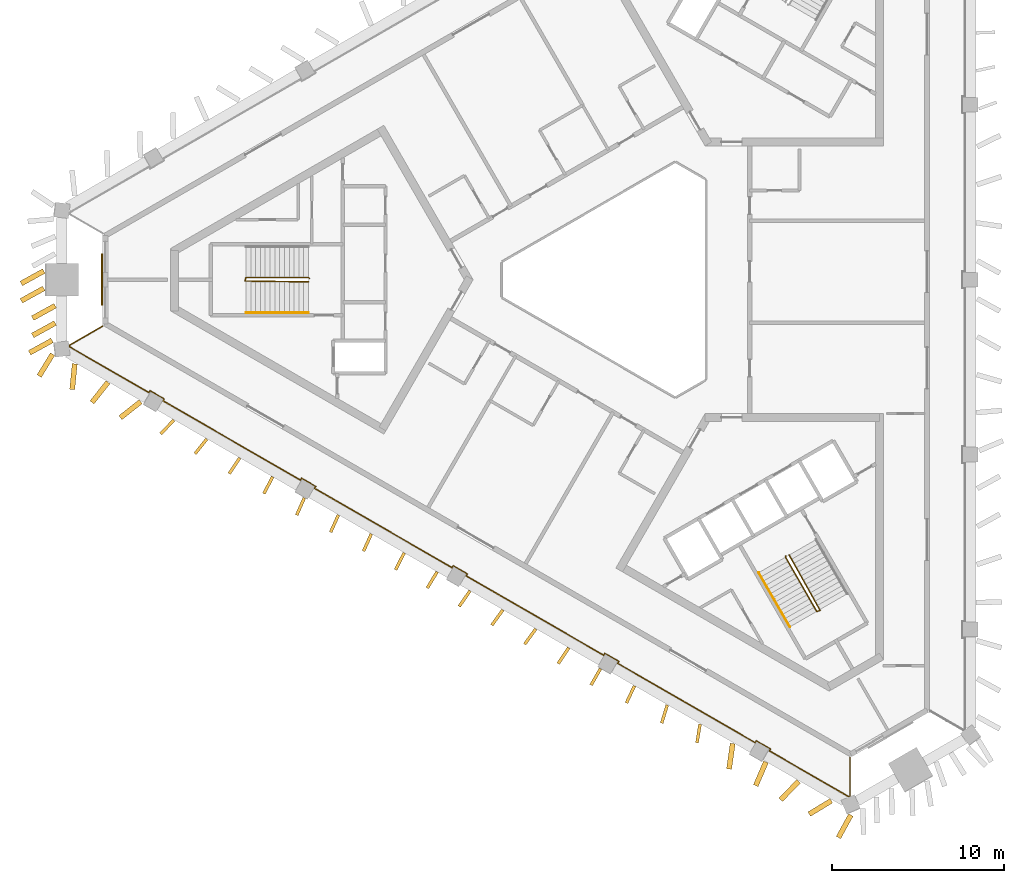
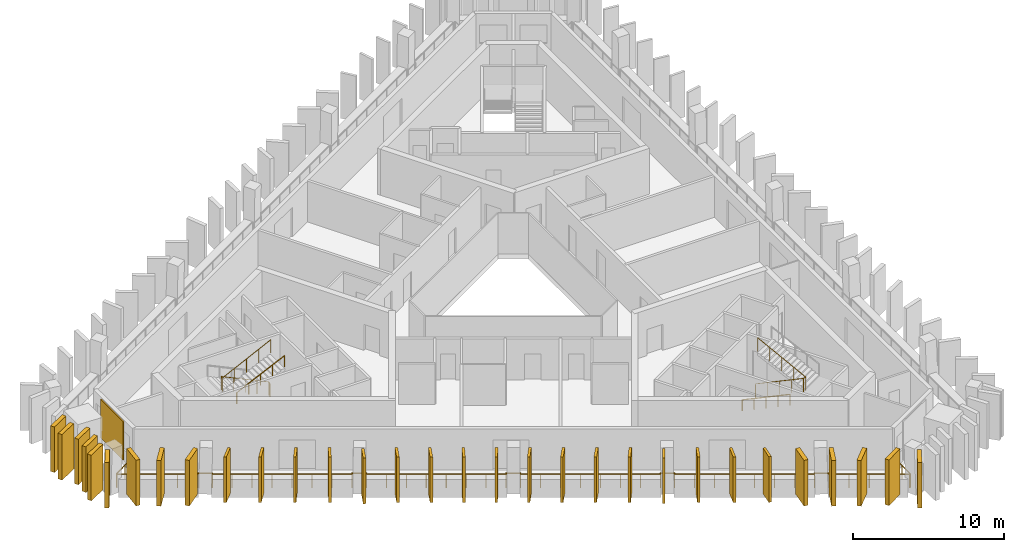
# One storey, part 7 of 9: 31 shading devices, 5 railings, 1 covering.
"""IFC4 building model written with IfcOpenShell, lengths in metres."""

import ifcopenshell
import ifcopenshell.guid

model = None  # the IFC model being written
_history = None  # IfcOwnerHistory: only IFC2X3 demands one
_inside = {}  # id of a spatial element -> (the spatial element, [elements in it])
_under = {}  # id of a project, library or spatial element -> (it, [spatial elements below it])
_declared = {}  # id of a project -> (the project, [libraries it declares])
_typed = {}  # id of a type object -> (the type object, [elements of that type])
_made_of = {}  # id of a material, layer set ... -> (it, [elements and type objects made of it])


def new_model(schema):
    """Start an empty IFC model of exactly this schema.

    Asked for "IFC4X3", IfcOpenShell would pick the latest addendum, in which some entities
    have other attributes; the version numbers below select the first issue.
    IFC2X3 requires an IfcOwnerHistory on every rooted entity: one is made here for all.
    """
    global model, _history
    if schema == "IFC4X3":
        model = ifcopenshell.file(schema_version=(4, 3, 0, 0))
    else:
        model = ifcopenshell.file(schema=schema)
    _inside.clear()
    _under.clear()
    _declared.clear()
    _typed.clear()
    _made_of.clear()
    _history = None
    if model.schema == "IFC2X3":
        org = make("IfcOrganization", Name="unknown")
        user = make(
            "IfcPersonAndOrganization",
            ThePerson=make("IfcPerson", FamilyName="unknown"),
            TheOrganization=org,
        )
        app = make(
            "IfcApplication",
            ApplicationDeveloper=org,
            Version="unknown",
            ApplicationFullName="unknown",
            ApplicationIdentifier="unknown",
        )
        _history = make(
            "IfcOwnerHistory",
            OwningUser=user,
            OwningApplication=app,
            ChangeAction="ADDED",
            CreationDate=0,
        )
    return model


def make(cls, **values):
    """One entity of the class cls with the attributes given. An attribute that is None is left unset."""
    return model.create_entity(
        cls, **{name: value for name, value in values.items() if value is not None}
    )


def rooted(cls, **values):
    """An entity with a GlobalId (a new one), such as an element, a storey or a relation."""
    return make(cls, GlobalId=ifcopenshell.guid.new(), OwnerHistory=_history, **values)


def si_unit(unit_type, name, prefix=None):
    """IfcSIUnit, for example si_unit("LENGTHUNIT", "METRE", prefix="MILLI")."""
    return make("IfcSIUnit", UnitType=unit_type, Prefix=prefix, Name=name)


def assignment(units):
    """IfcUnitAssignment: the units of a project."""
    return None if units is None else make("IfcUnitAssignment", Units=units)


def point(xyz):
    """IfcCartesianPoint."""
    return None if xyz is None else make("IfcCartesianPoint", Coordinates=xyz)


def direction(xyz):
    """IfcDirection."""
    return None if xyz is None else make("IfcDirection", DirectionRatios=xyz)


def frame(location, z_axis=None, x_axis=None):
    """IfcAxis2Placement3D, a coordinate frame: its origin and axes. An axis left out is left unset."""
    return make(
        "IfcAxis2Placement3D",
        Location=point(location),
        Axis=direction(z_axis),
        RefDirection=direction(x_axis),
    )


def frame_2d(location, x_axis=None):
    """IfcAxis2Placement2D, a coordinate frame in the plane: its origin and x axis."""
    return make(
        "IfcAxis2Placement2D", Location=point(location), RefDirection=direction(x_axis)
    )


def origin():
    """The frame at (0, 0, 0) with its axes left unset."""
    return frame((0.0, 0.0, 0.0))


def origin_2d():
    """The frame at (0, 0) in the plane with its x axis left unset."""
    return frame_2d((0.0, 0.0))


def place(relative_to, where):
    """IfcLocalPlacement: puts the frame where relative to a parent placement (None: the world)."""
    return make(
        "IfcLocalPlacement", PlacementRelTo=relative_to, RelativePlacement=where
    )


def context(
    kind, dimensions, precision=None, world=None, true_north=None, identifier=None
):
    """IfcGeometricRepresentationContext, for example the 3D "Model" context."""
    return make(
        "IfcGeometricRepresentationContext",
        ContextIdentifier=identifier,
        ContextType=kind,
        CoordinateSpaceDimension=dimensions,
        Precision=precision,
        WorldCoordinateSystem=world,
        TrueNorth=true_north,
    )


def subcontext(parent, identifier, kind, view, scale=None):
    """IfcGeometricRepresentationSubContext, for example "Body" below "Model"."""
    return make(
        "IfcGeometricRepresentationSubContext",
        ContextIdentifier=identifier,
        ContextType=kind,
        ParentContext=parent,
        TargetScale=scale,
        TargetView=view,
    )


def project(units=None, contexts=None):
    """IfcProject with its units and contexts."""
    return rooted(
        "IfcProject",
        Name="project",
        RepresentationContexts=contexts,
        UnitsInContext=assignment(units),
    )


def spatial(cls, under=None, at=None, **own):
    """A site, building, storey or space (cls), placed at a placement, below another one or the project."""
    s = rooted(cls, ObjectPlacement=at, **own)
    if under is not None:
        _under.setdefault(under.id(), (under, []))[1].append(s)
    return s


def profile(cls, at=None, kind="AREA", **sizes):
    """A parametric profile (cls). Its sizes go by their IFC names, for example OverallWidth=200.0."""
    return make(cls, ProfileType=kind, Position=at, **sizes)


def rectangle(**sizes):
    """IfcRectangleProfileDef."""
    return profile("IfcRectangleProfileDef", **sizes)


def circle(**sizes):
    """IfcCircleProfileDef."""
    return profile("IfcCircleProfileDef", **sizes)


def extrude(swept, where, along, depth):
    """IfcExtrudedAreaSolid: the profile swept, set in the frame where, extruded along a direction by depth."""
    return make(
        "IfcExtrudedAreaSolid",
        SweptArea=swept,
        Position=where,
        ExtrudedDirection=direction(along),
        Depth=depth,
    )


def shape(context_of_items, identifier, shape_type, items):
    """IfcShapeRepresentation: the items that make up one representation, for example the "Body"."""
    return make(
        "IfcShapeRepresentation",
        ContextOfItems=context_of_items,
        RepresentationIdentifier=identifier,
        RepresentationType=shape_type,
        Items=items,
    )


def material(Name=None, Category=None):
    """IfcMaterial."""
    return make("IfcMaterial", Name=Name, Category=Category)


def layer(
    of_material, thickness, ventilated=None, Name=None, Category=None, Priority=None
):
    """IfcMaterialLayer: one layer of a wall or slab, of a material (None: an air gap)."""
    return make(
        "IfcMaterialLayer",
        Material=of_material,
        LayerThickness=thickness,
        IsVentilated=ventilated,
        Name=Name,
        Category=Category,
        Priority=Priority,
    )


def layer_set(layers, Name=None):
    """IfcMaterialLayerSet."""
    return make("IfcMaterialLayerSet", MaterialLayers=layers, LayerSetName=Name)


def made_of(thing, what):
    """Note that an element or type object is made of a material, layer set ...; save() writes the relation."""
    if what is not None:
        _made_of.setdefault(what.id(), (what, []))[1].append(thing)
    return thing


def type_object(cls, material=None, **own):
    """A type object (cls), such as IfcWallType, which elements share."""
    return made_of(rooted(cls, **own), material)


def element(
    cls,
    number,
    at=None,
    inside=None,
    cuts=None,
    type_object=None,
    material=None,
    context=None,
    identifier="Body",
    shape_type=None,
    held_by="IfcProductDefinitionShape",
    body=None,
    shapes=None,
    **own,
):
    """One element of the class cls, such as IfcWall. Its Tag is "e" and its number.

    at: its placement. inside: the storey or other place that contains it. cuts: it is an
    opening in that element (IfcRelVoidsElement). A single representation is given by context,
    identifier, shape_type and body (its items); several are given by shapes. held_by: the class
    of the entity that holds the representations. save() writes the other relations.
    """
    e = rooted(cls, Tag="e%d" % number, ObjectPlacement=at, **own)
    if body is not None:
        shapes = [shape(context, identifier, shape_type, body)]
    if shapes is not None:
        e.Representation = make(held_by, Representations=shapes)
    if inside is not None:
        _inside.setdefault(inside.id(), (inside, []))[1].append(e)
    if cuts is not None:
        rooted(
            "IfcRelVoidsElement", RelatingBuildingElement=cuts, RelatedOpeningElement=e
        )
    if type_object is not None:
        _typed.setdefault(type_object.id(), (type_object, []))[1].append(e)
    return made_of(e, material)


def aggregate(whole, parts):
    """IfcRelAggregates: a whole, such as a stair, and the parts it consists of."""
    return rooted("IfcRelAggregates", RelatingObject=whole, RelatedObjects=parts)


def save(model, path):
    """Write the relations noted so far, then the file.

    IfcRelAggregates (storeys below a building ...), IfcRelContainedInSpatialStructure (elements
    in a storey), IfcRelDefinesByType, IfcRelAssociatesMaterial and IfcRelDeclares: one each for
    every whole, place, type object, material and project.
    """
    for whole, parts in _under.values():
        aggregate(whole, parts)
    for where, things in _inside.values():
        rooted(
            "IfcRelContainedInSpatialStructure",
            RelatedElements=things,
            RelatingStructure=where,
        )
    for kind, things in _typed.values():
        rooted("IfcRelDefinesByType", RelatedObjects=things, RelatingType=kind)
    for what, things in _made_of.values():
        rooted("IfcRelAssociatesMaterial", RelatedObjects=things, RelatingMaterial=what)
    for by, libraries in _declared.values():
        rooted("IfcRelDeclares", RelatingContext=by, RelatedDefinitions=libraries)
    model.write(path)


model = new_model("IFC4")

# Units and contexts
model_context = context("Model", 3, precision=1e-05, world=origin(), true_north=direction((0.0, 1.0)))
body_context = subcontext(model_context, "Body", "Model", "MODEL_VIEW")
ifc_project = project(units=[si_unit("LENGTHUNIT", "METRE"), si_unit("AREAUNIT", "SQUARE_METRE"), si_unit("VOLUMEUNIT", "CUBIC_METRE"), si_unit("PLANEANGLEUNIT", "RADIAN"), si_unit("MASSUNIT", "GRAM", prefix="KILO")], contexts=[model_context])

# Site, building, storey
site_placement = place(None, origin())
site = spatial("IfcSite", under=ifc_project, at=site_placement, CompositionType="ELEMENT")
building_placement = place(site_placement, origin())
building = spatial("IfcBuilding", under=site, at=building_placement, Name="Jabali Bay Hotel Tower and Convention Centre", CompositionType="ELEMENT")
storey_placement = place(building_placement, frame((0.0, 0.0, 231.699951171875)))
storey = spatial("IfcBuildingStorey", under=building, at=storey_placement, Name="L57", CompositionType="ELEMENT", Elevation=231.699951171875)

# Railing
ifc_material_1 = material(Name="Glass", Category="glass")
railing_type_1 = type_object("IfcRailingType", Name="Loggia glass guard 1100", PredefinedType="BALUSTRADE", material=ifc_material_1)
railing_1_placement = place(storey_placement, frame((87.937744140625, 52.175537109375, 0.0)))
element("IfcRailing", 1, at=railing_1_placement, inside=storey, type_object=railing_type_1, Name="Loggia glass guard L57", PredefinedType="BALUSTRADE", context=body_context, shape_type="SweptSolid", body=[
    extrude(circle(Radius=0.02490234375, at=origin_2d()), frame((0.0, 0.0, 1.0751953125), z_axis=(0.0, -1.0, 0.0), x_axis=(0.991444861374, 0.0, 0.13052619222)), (0.0, 0.0, 1.0), 2.24755859375),
    extrude(circle(Radius=0.02490234375, at=origin_2d()), frame((0.0, -2.24755859375, 1.0751953125), z_axis=(-0.91970817197, -0.392602697916, 0.0), x_axis=(0.38924392741, -0.911839941063, 0.13052619222)), (0.0, 0.0, 1.0), 0.067138671875),
    extrude(circle(Radius=0.02490234375, at=origin_2d()), frame((-0.061767578125, -2.27392578125, 1.0751953125), z_axis=(-0.866017545806, 0.500013610171, 0.0), x_axis=(-0.495735924421, -0.858608645649, 0.13052619222)), (0.0, 0.0, 1.0), 5.346923828125),
    extrude(circle(Radius=0.02490234375, at=origin_2d()), frame((-4.6923828125, 0.399658203125, 1.0751953125), z_axis=(0.499497219344, 0.8663154898, 0.0), x_axis=(-0.858904040691, 0.495223951389, 0.13052619222)), (0.0, 0.0, 1.0), 0.125244140625),
    extrude(circle(Radius=0.02490234375, at=origin_2d()), frame((-4.6298828125, 0.508056640625, 1.0751953125), z_axis=(-0.866100000774, 0.49987077196, 0.0), x_axis=(-0.495594308211, -0.858690395203, 0.13052619222)), (0.0, 0.0, 1.0), 0.949951171875),
    extrude(circle(Radius=0.02490234375, at=origin_2d()), frame((-5.45263671875, 0.98291015625, 1.0751953125), z_axis=(-0.500342721131, -0.865827443207, 0.0), x_axis=(0.858420169404, -0.496062219791, 0.13052619222)), (0.0, 0.0, 1.0), 0.125),
    extrude(circle(Radius=0.02490234375, at=origin_2d()), frame((-5.51513671875, 0.874755859375, 1.0751953125), z_axis=(-0.866031129197, 0.499990083164, 0.0), x_axis=(-0.495712598691, -0.858622112832, 0.13052619222)), (0.0, 0.0, 1.0), 9.239013671875),
    extrude(circle(Radius=0.02490234375, at=origin_2d()), frame((-13.516357421875, 5.494140625, 1.0751953125), z_axis=(0.499497219344, 0.8663154898, 0.0), x_axis=(-0.858904040691, 0.495223951389, 0.13052619222)), (0.0, 0.0, 1.0), 0.125244140625),
    extrude(circle(Radius=0.02490234375, at=origin_2d()), frame((-13.453857421875, 5.6025390625, 1.0751953125), z_axis=(-0.866100000774, 0.49987077196, 0.0), x_axis=(-0.495594308211, -0.858690395203, 0.13052619222)), (0.0, 0.0, 1.0), 0.949951171875),
    extrude(circle(Radius=0.02490234375, at=origin_2d()), frame((-14.276611328125, 6.077392578125, 1.0751953125), z_axis=(-0.500342721131, -0.865827443207, 0.0), x_axis=(0.858420169404, -0.496062219791, 0.13052619222)), (0.0, 0.0, 1.0), 0.125),
    extrude(circle(Radius=0.02490234375, at=origin_2d()), frame((-14.339111328125, 5.96923828125, 1.0751953125), z_axis=(-0.866031129197, 0.499990083164, 0.0), x_axis=(-0.495712598691, -0.858622112832, 0.13052619222)), (0.0, 0.0, 1.0), 9.239013671875),
    extrude(circle(Radius=0.02490234375, at=origin_2d()), frame((-22.34033203125, 10.588623046875, 1.0751953125), z_axis=(0.499497219344, 0.8663154898, 0.0), x_axis=(-0.858904040691, 0.495223951389, 0.13052619222)), (0.0, 0.0, 1.0), 0.125244140625),
    extrude(circle(Radius=0.02490234375, at=origin_2d()), frame((-22.27783203125, 10.697021484375, 1.0751953125), z_axis=(-0.866100000774, 0.49987077196, 0.0), x_axis=(-0.495594308211, -0.858690395203, 0.13052619222)), (0.0, 0.0, 1.0), 0.949951171875),
    extrude(circle(Radius=0.02490234375, at=origin_2d()), frame((-23.1005859375, 11.171875, 1.0751953125), z_axis=(-0.500342721131, -0.865827443207, 0.0), x_axis=(0.858420169404, -0.496062219791, 0.13052619222)), (0.0, 0.0, 1.0), 0.125),
    extrude(circle(Radius=0.02490234375, at=origin_2d()), frame((-23.1630859375, 11.063720703125, 1.0751953125), z_axis=(-0.866031129197, 0.499990083164, 0.0), x_axis=(-0.495712598691, -0.858622112832, 0.13052619222)), (0.0, 0.0, 1.0), 9.239013671875),
    extrude(circle(Radius=0.02490234375, at=origin_2d()), frame((-31.164306640625, 15.68310546875, 1.0751953125), z_axis=(0.499497219344, 0.8663154898, 0.0), x_axis=(-0.858904040691, 0.495223951389, 0.13052619222)), (0.0, 0.0, 1.0), 0.125244140625),
    extrude(circle(Radius=0.02490234375, at=origin_2d()), frame((-31.101806640625, 15.79150390625, 1.0751953125), z_axis=(-0.866100000774, 0.49987077196, 0.0), x_axis=(-0.495594308211, -0.858690395203, 0.13052619222)), (0.0, 0.0, 1.0), 0.949951171875),
    extrude(circle(Radius=0.02490234375, at=origin_2d()), frame((-31.924560546875, 16.266357421875, 1.0751953125), z_axis=(-0.500342721131, -0.865827443207, 0.0), x_axis=(0.858420169404, -0.496062219791, 0.13052619222)), (0.0, 0.0, 1.0), 0.125),
    extrude(circle(Radius=0.02490234375, at=origin_2d()), frame((-31.987060546875, 16.158203125, 1.0751953125), z_axis=(-0.866031129197, 0.499990083164, 0.0), x_axis=(-0.495712598691, -0.858622112832, 0.13052619222)), (0.0, 0.0, 1.0), 9.239013671875),
    extrude(circle(Radius=0.02490234375, at=origin_2d()), frame((-39.98828125, 20.777587890625, 1.0751953125), z_axis=(0.499497219344, 0.8663154898, 0.0), x_axis=(-0.858904040691, 0.495223951389, 0.13052619222)), (0.0, 0.0, 1.0), 0.125244140625),
    extrude(circle(Radius=0.02490234375, at=origin_2d()), frame((-39.92578125, 20.885986328125, 1.0751953125), z_axis=(-0.866035761792, 0.499982058975, 0.0), x_axis=(-0.49570464315, -0.858626705795, 0.13052619222)), (0.0, 0.0, 1.0), 0.94970703125),
    extrude(circle(Radius=0.02490234375, at=origin_2d()), frame((-40.748291015625, 21.36083984375, 1.0751953125), z_axis=(-0.500342721131, -0.865827443207, 0.0), x_axis=(0.858420169404, -0.496062219791, 0.13052619222)), (0.0, 0.0, 1.0), 0.125),
    extrude(circle(Radius=0.02490234375, at=origin_2d()), frame((-40.810791015625, 21.252685546875, 1.0751953125), z_axis=(-0.866028960544, 0.499993839462, 0.0), x_axis=(-0.495716322853, -0.858619962732, 0.13052619222)), (0.0, 0.0, 1.0), 5.34716796875),
    extrude(circle(Radius=0.02490234375, at=origin_2d()), frame((-45.441650390625, 23.92626953125, 1.0751953125), z_axis=(-0.120005554105, 0.99277322032, 0.0), x_axis=(-0.984279907796, -0.118978889953, 0.13052619222)), (0.0, 0.0, 1.0), 0.067138671875),
    extrude(circle(Radius=0.02490234375, at=origin_2d()), frame((-45.44970703125, 23.992919921875, 1.0751953125), z_axis=(0.866008297462, 0.50002962785, 0.0), x_axis=(-0.495751805066, 0.858599476426, 0.13052619222)), (0.0, 0.0, 1.0), 2.247314453125),
    extrude(circle(Radius=0.02001953125, at=origin_2d()), origin(), (0.0, 0.0, 1.0), 1.050048828125),
    extrude(circle(Radius=0.02001953125, at=origin_2d()), frame((0.0, -1.123779296875, 0.0)), (0.0, 0.0, 1.0), 1.050048828125),
    extrude(circle(Radius=0.02001953125, at=origin_2d()), frame((0.0, -2.24755859375, 0.0)), (0.0, 0.0, 1.0), 1.050048828125),
    extrude(circle(Radius=0.02001953125, at=origin_2d()), frame((-0.061767578125, -2.27392578125, 0.0)), (0.0, 0.0, 1.0), 1.050048828125),
    extrude(circle(Radius=0.02001953125, at=origin_2d()), frame((-1.219482421875, -1.60546875, 0.0)), (0.0, 0.0, 1.0), 1.050048828125),
    extrude(circle(Radius=0.02001953125, at=origin_2d()), frame((-2.376953125, -0.93701171875, 0.0)), (0.0, 0.0, 1.0), 1.050048828125),
    extrude(circle(Radius=0.02001953125, at=origin_2d()), frame((-3.53466796875, -0.268798828125, 0.0)), (0.0, 0.0, 1.0), 1.050048828125),
    extrude(circle(Radius=0.02001953125, at=origin_2d()), frame((-4.6923828125, 0.399658203125, 0.0)), (0.0, 0.0, 1.0), 1.050048828125),
    extrude(circle(Radius=0.02001953125, at=origin_2d()), frame((-4.6298828125, 0.508056640625, 0.0)), (0.0, 0.0, 1.0), 1.050048828125),
    extrude(circle(Radius=0.02001953125, at=origin_2d()), frame((-5.45263671875, 0.98291015625, 0.0)), (0.0, 0.0, 1.0), 1.050048828125),
    extrude(circle(Radius=0.02001953125, at=origin_2d()), frame((-5.51513671875, 0.874755859375, 0.0)), (0.0, 0.0, 1.0), 1.050048828125),
    extrude(circle(Radius=0.02001953125, at=origin_2d()), frame((-6.658203125, 1.53466796875, 0.0)), (0.0, 0.0, 1.0), 1.050048828125),
    extrude(circle(Radius=0.02001953125, at=origin_2d()), frame((-7.80126953125, 2.194580078125, 0.0)), (0.0, 0.0, 1.0), 1.050048828125),
    extrude(circle(Radius=0.02001953125, at=origin_2d()), frame((-8.9443359375, 2.8544921875, 0.0)), (0.0, 0.0, 1.0), 1.050048828125),
    extrude(circle(Radius=0.02001953125, at=origin_2d()), frame((-10.087158203125, 3.514404296875, 0.0)), (0.0, 0.0, 1.0), 1.050048828125),
    extrude(circle(Radius=0.02001953125, at=origin_2d()), frame((-11.230224609375, 4.17431640625, 0.0)), (0.0, 0.0, 1.0), 1.050048828125),
    extrude(circle(Radius=0.02001953125, at=origin_2d()), frame((-12.373291015625, 4.834228515625, 0.0)), (0.0, 0.0, 1.0), 1.050048828125),
    extrude(circle(Radius=0.02001953125, at=origin_2d()), frame((-13.516357421875, 5.494140625, 0.0)), (0.0, 0.0, 1.0), 1.050048828125),
    extrude(circle(Radius=0.02001953125, at=origin_2d()), frame((-13.453857421875, 5.6025390625, 0.0)), (0.0, 0.0, 1.0), 1.050048828125),
    extrude(circle(Radius=0.02001953125, at=origin_2d()), frame((-14.276611328125, 6.077392578125, 0.0)), (0.0, 0.0, 1.0), 1.050048828125),
    extrude(circle(Radius=0.02001953125, at=origin_2d()), frame((-14.339111328125, 5.96923828125, 0.0)), (0.0, 0.0, 1.0), 1.050048828125),
    extrude(circle(Radius=0.02001953125, at=origin_2d()), frame((-15.482177734375, 6.629150390625, 0.0)), (0.0, 0.0, 1.0), 1.050048828125),
    extrude(circle(Radius=0.02001953125, at=origin_2d()), frame((-16.625244140625, 7.2890625, 0.0)), (0.0, 0.0, 1.0), 1.050048828125),
    extrude(circle(Radius=0.02001953125, at=origin_2d()), frame((-17.768310546875, 7.948974609375, 0.0)), (0.0, 0.0, 1.0), 1.050048828125),
    extrude(circle(Radius=0.02001953125, at=origin_2d()), frame((-18.9111328125, 8.60888671875, 0.0)), (0.0, 0.0, 1.0), 1.050048828125),
    extrude(circle(Radius=0.02001953125, at=origin_2d()), frame((-20.05419921875, 9.268798828125, 0.0)), (0.0, 0.0, 1.0), 1.050048828125),
    extrude(circle(Radius=0.02001953125, at=origin_2d()), frame((-21.197265625, 9.9287109375, 0.0)), (0.0, 0.0, 1.0), 1.050048828125),
    extrude(circle(Radius=0.02001953125, at=origin_2d()), frame((-22.34033203125, 10.588623046875, 0.0)), (0.0, 0.0, 1.0), 1.050048828125),
    extrude(circle(Radius=0.02001953125, at=origin_2d()), frame((-22.27783203125, 10.697021484375, 0.0)), (0.0, 0.0, 1.0), 1.050048828125),
    extrude(circle(Radius=0.02001953125, at=origin_2d()), frame((-23.1005859375, 11.171875, 0.0)), (0.0, 0.0, 1.0), 1.050048828125),
    extrude(circle(Radius=0.02001953125, at=origin_2d()), frame((-23.1630859375, 11.063720703125, 0.0)), (0.0, 0.0, 1.0), 1.050048828125),
    extrude(circle(Radius=0.02001953125, at=origin_2d()), frame((-24.30615234375, 11.7236328125, 0.0)), (0.0, 0.0, 1.0), 1.050048828125),
    extrude(circle(Radius=0.02001953125, at=origin_2d()), frame((-25.44921875, 12.383544921875, 0.0)), (0.0, 0.0, 1.0), 1.050048828125),
    extrude(circle(Radius=0.02001953125, at=origin_2d()), frame((-26.59228515625, 13.04345703125, 0.0)), (0.0, 0.0, 1.0), 1.050048828125),
    extrude(circle(Radius=0.02001953125, at=origin_2d()), frame((-27.735107421875, 13.703369140625, 0.0)), (0.0, 0.0, 1.0), 1.050048828125),
    extrude(circle(Radius=0.02001953125, at=origin_2d()), frame((-28.878173828125, 14.36328125, 0.0)), (0.0, 0.0, 1.0), 1.050048828125),
    extrude(circle(Radius=0.02001953125, at=origin_2d()), frame((-30.021240234375, 15.023193359375, 0.0)), (0.0, 0.0, 1.0), 1.050048828125),
    extrude(circle(Radius=0.02001953125, at=origin_2d()), frame((-31.164306640625, 15.68310546875, 0.0)), (0.0, 0.0, 1.0), 1.050048828125),
    extrude(circle(Radius=0.02001953125, at=origin_2d()), frame((-31.101806640625, 15.79150390625, 0.0)), (0.0, 0.0, 1.0), 1.050048828125),
    extrude(circle(Radius=0.02001953125, at=origin_2d()), frame((-31.924560546875, 16.266357421875, 0.0)), (0.0, 0.0, 1.0), 1.050048828125),
    extrude(circle(Radius=0.02001953125, at=origin_2d()), frame((-31.987060546875, 16.158203125, 0.0)), (0.0, 0.0, 1.0), 1.050048828125),
    extrude(circle(Radius=0.02001953125, at=origin_2d()), frame((-33.130126953125, 16.818115234375, 0.0)), (0.0, 0.0, 1.0), 1.050048828125),
    extrude(circle(Radius=0.02001953125, at=origin_2d()), frame((-34.273193359375, 17.47802734375, 0.0)), (0.0, 0.0, 1.0), 1.050048828125),
    extrude(circle(Radius=0.02001953125, at=origin_2d()), frame((-35.416259765625, 18.137939453125, 0.0)), (0.0, 0.0, 1.0), 1.050048828125),
    extrude(circle(Radius=0.02001953125, at=origin_2d()), frame((-36.55908203125, 18.7978515625, 0.0)), (0.0, 0.0, 1.0), 1.050048828125),
    extrude(circle(Radius=0.02001953125, at=origin_2d()), frame((-37.7021484375, 19.457763671875, 0.0)), (0.0, 0.0, 1.0), 1.050048828125),
    extrude(circle(Radius=0.02001953125, at=origin_2d()), frame((-38.84521484375, 20.11767578125, 0.0)), (0.0, 0.0, 1.0), 1.050048828125),
    extrude(circle(Radius=0.02001953125, at=origin_2d()), frame((-39.98828125, 20.777587890625, 0.0)), (0.0, 0.0, 1.0), 1.050048828125),
    extrude(circle(Radius=0.02001953125, at=origin_2d()), frame((-39.92578125, 20.885986328125, 0.0)), (0.0, 0.0, 1.0), 1.050048828125),
    extrude(circle(Radius=0.02001953125, at=origin_2d()), frame((-40.748291015625, 21.36083984375, 0.0)), (0.0, 0.0, 1.0), 1.050048828125),
    extrude(circle(Radius=0.02001953125, at=origin_2d()), frame((-40.810791015625, 21.252685546875, 0.0)), (0.0, 0.0, 1.0), 1.050048828125),
    extrude(circle(Radius=0.02001953125, at=origin_2d()), frame((-41.968505859375, 21.921142578125, 0.0)), (0.0, 0.0, 1.0), 1.050048828125),
    extrude(circle(Radius=0.02001953125, at=origin_2d()), frame((-43.126220703125, 22.58935546875, 0.0)), (0.0, 0.0, 1.0), 1.050048828125),
    extrude(circle(Radius=0.02001953125, at=origin_2d()), frame((-44.283935546875, 23.2578125, 0.0)), (0.0, 0.0, 1.0), 1.050048828125),
    extrude(circle(Radius=0.02001953125, at=origin_2d()), frame((-45.441650390625, 23.92626953125, 0.0)), (0.0, 0.0, 1.0), 1.050048828125),
    extrude(circle(Radius=0.02001953125, at=origin_2d()), frame((-45.44970703125, 23.992919921875, 0.0)), (0.0, 0.0, 1.0), 1.050048828125),
    extrude(circle(Radius=0.02001953125, at=origin_2d()), frame((-44.4765625, 24.5546875, 0.0)), (0.0, 0.0, 1.0), 1.050048828125),
    extrude(circle(Radius=0.02001953125, at=origin_2d()), frame((-43.50341796875, 25.11669921875, 0.0)), (0.0, 0.0, 1.0), 1.050048828125),
])

# Shading devices
ifc_material_2 = material(Name="Precast concrete C60", Category="concrete")
ifc_layer_1 = layer(ifc_material_2, 0.179931640625)
ifc_layer_set_1 = layer_set([ifc_layer_1], Name="Precast concrete C60")
shading_device_type_1 = type_object("IfcShadingDeviceType", Name="Precast fin 3680 x 1100", PredefinedType="USERDEFINED", material=ifc_layer_set_1)
for number, where, z_axis, x_axis, name in (
    (2, (48.578857421875, 71.8232421875, 0.010009765625), (0.0, 0.0, 1.0), (-0.69207889578, -0.721821863077, 0.0), "Fin L57 067"),
    (3, (50.49755859375, 70.724609375, 0.010009765625), (0.0, 0.0, 1.0), (-0.624261782245, -0.781215224652, 0.0), "Fin L57 068"),
    (4, (52.416015625, 69.62548828125, 0.010009765625), (0.0, 0.0, 1.0), (-0.558076657465, -0.829789397614, 0.0), "Fin L57 069"),
    (5, (54.33203125, 68.5224609375, 0.010009765625), (0.0, 0.0, 1.0), (-0.466377581753, -0.884585751207, 0.0), "Fin L57 070"),
    (6, (56.177734375, 67.297119140625, 0.010009765625), (0.0, 0.0, 1.0), (-0.408176242739, -0.912903146486, 0.0), "Fin L57 071"),
):
    element("IfcShadingDevice", number, at=place(storey_placement, frame(where, z_axis=z_axis, x_axis=x_axis)), inside=storey, type_object=shading_device_type_1, Name=name, ObjectType="FIN", PredefinedType="USERDEFINED", context=body_context, shape_type="SweptSolid", body=[
        extrude(rectangle(XDim=1.099853515625, YDim=0.179931640625, at=frame_2d((0.5498046875, 0.0))), origin(), (0.0, 0.0, 1.0), 3.679931640625),
    ])
for number, where, z_axis, x_axis, name in (
    (7, (58.15869140625, 66.306640625, 0.010009765625), (0.0, 0.0, 1.0), (-0.409266191411, -0.912415028684, 0.0), "Fin L57 072"),
    (8, (60.073486328125, 65.201171875, 0.010009765625), (0.0, 0.0, 1.0), (-0.409718567831, -0.912211979298, 0.0), "Fin L57 073"),
    (9, (61.990478515625, 64.099609375, 0.010009765625), (0.0, 0.0, 1.0), (-0.455627145521, -0.89017071636, 0.0), "Fin L57 074"),
    (10, (63.906494140625, 62.996337890625, 0.010009765625), (0.0, 0.0, 1.0), (-0.519968067785, -0.854185699063, 0.0), "Fin L57 075"),
    (11, (65.818359375, 61.88623046875, 0.010009765625), (0.0, 0.0, 1.0), (-0.570375013662, -0.821384406834, 0.0), "Fin L57 076"),
    (12, (67.732421875, 60.779296875, 0.010009765625), (0.0, 0.0, 1.0), (-0.585450038599, -0.81070848787, 0.0), "Fin L57 077"),
    (13, (69.64697265625, 59.673828125, 0.010009765625), (0.0, 0.0, 1.0), (-0.586349149613, -0.810058439094, 0.0), "Fin L57 078"),
    (14, (71.5634765625, 58.5712890625, 0.010009765625), (0.0, 0.0, 1.0), (-0.553982926537, -0.83252802782, 0.0), "Fin L57 079"),
):
    element("IfcShadingDevice", number, at=place(storey_placement, frame(where, z_axis=z_axis, x_axis=x_axis)), inside=storey, type_object=shading_device_type_1, Name=name, ObjectType="FIN", PredefinedType="USERDEFINED", context=body_context, shape_type="SweptSolid", body=[
        extrude(rectangle(XDim=1.10009765625, YDim=0.179931640625, at=frame_2d((0.550048828125, 0.0))), origin(), (0.0, 0.0, 1.0), 3.679931640625),
    ])
for number, where, z_axis, x_axis, name in (
    (15, (73.414794921875, 57.35595703125, 0.010009765625), (0.0, 0.0, 1.0), (-0.500292389495, -0.865856526806, 0.0), "Fin L57 080"),
    (16, (75.39208984375, 56.358642578125, 0.010009765625), (0.0, 0.0, 1.0), (-0.424160897127, -0.90558684473, 0.0), "Fin L57 081"),
):
    element("IfcShadingDevice", number, at=place(storey_placement, frame(where, z_axis=z_axis, x_axis=x_axis)), inside=storey, type_object=shading_device_type_1, Name=name, ObjectType="FIN", PredefinedType="USERDEFINED", context=body_context, shape_type="SweptSolid", body=[
        extrude(rectangle(XDim=1.099853515625, YDim=0.179931640625, at=frame_2d((0.5498046875, 0.0))), origin(), (0.0, 0.0, 1.0), 3.679931640625),
    ])
shading_device_1_placement = place(storey_placement, frame((77.300537109375, 55.242431640625, 0.010009765625), z_axis=(0.0, 0.0, 1.0), x_axis=(-0.293165615072, -0.95606167277, 0.0)))
element("IfcShadingDevice", 17, at=shading_device_1_placement, inside=storey, type_object=shading_device_type_1, Name="Fin L57 082", ObjectType="FIN", PredefinedType="USERDEFINED", context=body_context, shape_type="SweptSolid", body=[
    extrude(rectangle(XDim=1.10009765625, YDim=0.179931640625, at=frame_2d((0.550048828125, 0.0))), origin(), (0.0, 0.0, 1.0), 3.679931640625),
])
shading_device_2_placement = place(storey_placement, frame((79.209228515625, 54.126708984375, 0.010009765625), z_axis=(0.0, 0.0, 1.0), x_axis=(-0.160474458091, -0.987039993263, 0.0)))
element("IfcShadingDevice", 18, at=shading_device_2_placement, inside=storey, type_object=shading_device_type_1, Name="Fin L57 083", ObjectType="FIN", PredefinedType="USERDEFINED", context=body_context, shape_type="SweptSolid", body=[
    extrude(rectangle(XDim=1.099853515625, YDim=0.179931640625, at=frame_2d((0.5498046875, 0.0))), origin(), (0.0, 0.0, 1.0), 3.679931640625),
])
ifc_layer_2 = layer(ifc_material_2, 0.300048828125)
ifc_layer_set_2 = layer_set([ifc_layer_2], Name="Precast concrete C60")
shading_device_type_2 = type_object("IfcShadingDeviceType", Name="Precast fin 3680 x 1500", PredefinedType="USERDEFINED", material=ifc_layer_set_2)
for number, where, z_axis, x_axis, name in (
    (19, (41.0126953125, 80.50439453125, 0.010009765625), (0.0, 0.0, 1.0), (-0.876016513422, -0.482281109117, 0.0), "Fin L57 059"),
    (20, (41.0126953125, 79.49560546875, 0.010009765625), (0.0, 0.0, 1.0), (-0.875947742748, -0.482406003253, 0.0), "Fin L57 060"),
    (21, (41.67529296875, 78.486572265625, 0.010009765625), (0.0, 0.0, 1.0), (-0.876016513422, -0.482281109117, 0.0), "Fin L57 061"),
    (22, (41.67529296875, 77.4775390625, 0.010009765625), (0.0, 0.0, 1.0), (-0.876016513422, -0.482281109117, 0.0), "Fin L57 062"),
    (23, (41.493896484375, 76.46875, 0.010009765625), (0.0, 0.0, 1.0), (-0.876016513422, -0.482281109117, 0.0), "Fin L57 063"),
):
    element("IfcShadingDevice", number, at=place(storey_placement, frame(where, z_axis=z_axis, x_axis=x_axis)), inside=storey, type_object=shading_device_type_2, Name=name, ObjectType="FIN", PredefinedType="USERDEFINED", context=body_context, shape_type="SweptSolid", body=[
        extrude(rectangle(XDim=1.5, YDim=0.300048828125, at=frame_2d((0.75, 0.0))), origin(), (0.0, 0.0, 1.0), 3.679931640625),
    ])
shading_device_3_placement = place(storey_placement, frame((42.814697265625, 75.10498046875, 0.010009765625), z_axis=(0.0, 0.0, 1.0), x_axis=(-0.099922646055, -0.994995208433, 0.0)))
element("IfcShadingDevice", 24, at=shading_device_3_placement, inside=storey, type_object=shading_device_type_2, Name="Fin L57 064", ObjectType="FIN", PredefinedType="USERDEFINED", context=body_context, shape_type="SweptSolid", body=[
    extrude(rectangle(XDim=1.500244140625, YDim=0.300048828125, at=frame_2d((0.75, 0.0))), origin(), (0.0, 0.0, 1.0), 3.679931640625),
])
for number, where, z_axis, x_axis, name in (
    (25, (44.749267578125, 74.03369140625, 0.010009765625), (0.0, 0.0, 1.0), (-0.621932051743, -0.783071211969, 0.0), "Fin L57 065"),
    (26, (46.647216796875, 72.8994140625, 0.010009765625), (0.0, 0.0, 1.0), (-0.784224022266, -0.620477785985, 0.0), "Fin L57 066"),
    (27, (81.112060546875, 53.000732421875, 0.010009765625), (0.0, 0.0, 1.0), (-0.1427428631, -0.989759806738, 0.0), "Fin L57 084"),
    (28, (83.0458984375, 51.928466796875, 0.010009765625), (0.0, 0.0, 1.0), (-0.395843547095, -0.918317965752, 0.0), "Fin L57 085"),
    (29, (84.951171875, 50.806396484375, 0.010009765625), (0.0, 0.0, 1.0), (-0.696117874677, -0.717927506476, 0.0), "Fin L57 086"),
    (30, (86.84814453125, 49.669921875, 0.010009765625), (0.0, 0.0, 1.0), (-0.855446949814, -0.517890447928, 0.0), "Fin L57 087"),
    (31, (41.524169921875, 75.669677734375, 0.010009765625), (0.0, 0.0, 1.0), (-0.521133977545, -0.8534748839, 0.0), "Fin L57 100"),
    (32, (87.98779296875, 48.843505859375, 0.010009765625), (0.0, 0.0, 1.0), (-0.482087433737, -0.876123111345, 0.0), "Fin L57 101"),
):
    element("IfcShadingDevice", number, at=place(storey_placement, frame(where, z_axis=z_axis, x_axis=x_axis)), inside=storey, type_object=shading_device_type_2, Name=name, ObjectType="FIN", PredefinedType="USERDEFINED", context=body_context, shape_type="SweptSolid", body=[
        extrude(rectangle(XDim=1.5, YDim=0.300048828125, at=frame_2d((0.75, 0.0))), origin(), (0.0, 0.0, 1.0), 3.679931640625),
    ])

# Covering
ifc_material_3 = material(Name="Precast concrete C40/50", Category="concrete")
ifc_layer_3 = layer(ifc_material_3, 0.080078125)
ifc_layer_set_3 = layer_set([ifc_layer_3], Name="Precast concrete C40/50")
covering_type = type_object("IfcCoveringType", Name="Relief panel 3000 x 3100", PredefinedType="CLADDING", material=ifc_layer_set_3)
covering_placement = place(storey_placement, frame((44.394287109375, 80.0, 0.10009765625), z_axis=(0.0, 0.0, 1.0), x_axis=(0.0, 1.0, 0.0)))
element("IfcCovering", 33, at=covering_placement, inside=storey, type_object=covering_type, Name="Relief panel L57", PredefinedType="CLADDING", context=body_context, shape_type="SweptSolid", body=[
    extrude(rectangle(XDim=3.0, YDim=0.080078125, at=origin_2d()), origin(), (0.0, 0.0, 1.0), 3.10009765625),
])

# Railings
ifc_material_4 = material(Name="Steel Q355B", Category="steel")
railing_type_2 = type_object("IfcRailingType", Name="Stair guard 1100", PredefinedType="GUARDRAIL", material=ifc_material_4)
railing_2_placement = place(storey_placement, frame((56.469970703125, 80.074951171875, 0.0)))
element("IfcRailing", 34, at=railing_2_placement, inside=storey, type_object=railing_type_2, Name="L57 ST1 stair guard 1", PredefinedType="GUARDRAIL", context=body_context, shape_type="SweptSolid", body=[
    extrude(circle(Radius=0.02392578125, at=origin_2d()), frame((0.0, 0.0, 1.076171875), z_axis=(-0.333993628408, 0.333993628408, 0.881417331555), x_axis=(-0.707106781187, -0.707106781187, 0.0)), (0.0, 0.0, 1.0), 0.14990234375),
    extrude(circle(Radius=0.02392578125, at=origin_2d()), frame((-0.050048828125, 0.050048828125, 1.2080078125), z_axis=(-0.904327350853, 0.0, 0.426839598092), x_axis=(0.0, -1.0, 0.0)), (0.0, 0.0, 1.0), 4.02490234375),
    extrude(circle(Radius=0.02392578125, at=origin_2d()), frame((-3.68994140625, 0.050048828125, 2.92626953125), z_axis=(-0.242814311512, -0.970072785993, 0.0), x_axis=(0.970072785993, -0.242814311512, 0.0)), (0.0, 0.0, 1.0), 0.2060546875),
    extrude(circle(Radius=0.02392578125, at=origin_2d()), frame((-3.739990234375, -0.14990234375, 2.92626953125), z_axis=(0.893887803671, -0.012124321804, 0.4481267625), x_axis=(0.013562335953, 0.999908027292, 0.0)), (0.0, 0.0, 1.0), 4.1279296875),
    extrude(circle(Radius=0.02099609375, at=origin_2d()), origin(), (0.0, 0.0, 1.0), 1.052001953125),
    extrude(circle(Radius=0.02099609375, at=origin_2d()), frame((-0.050048828125, 0.050048828125, 0.132080078125)), (0.0, 0.0, 1.0), 1.052001953125),
    extrude(circle(Radius=0.02099609375, at=origin_2d()), frame((-0.9599609375, 0.050048828125, 0.5615234375)), (0.0, 0.0, 1.0), 1.052001953125),
    extrude(circle(Radius=0.02099609375, at=origin_2d()), frame((-1.8701171875, 0.050048828125, 0.9912109375)), (0.0, 0.0, 1.0), 1.052001953125),
    extrude(circle(Radius=0.02099609375, at=origin_2d()), frame((-2.780029296875, 0.050048828125, 1.420654296875)), (0.0, 0.0, 1.0), 1.052001953125),
    extrude(circle(Radius=0.02099609375, at=origin_2d()), frame((-3.68994140625, 0.050048828125, 1.85009765625)), (0.0, 0.0, 1.0), 1.052001953125),
    extrude(circle(Radius=0.02099609375, at=origin_2d()), frame((-3.739990234375, -0.14990234375, 1.85009765625)), (0.0, 0.0, 1.0), 1.052001953125),
    extrude(circle(Radius=0.02099609375, at=origin_2d()), frame((-2.8173828125, -0.162353515625, 2.3125)), (0.0, 0.0, 1.0), 1.052001953125),
    extrude(circle(Radius=0.02099609375, at=origin_2d()), frame((-1.89501953125, -0.1748046875, 2.77490234375)), (0.0, 0.0, 1.0), 1.052001953125),
    extrude(circle(Radius=0.02099609375, at=origin_2d()), frame((-0.97265625, -0.1875, 3.237548828125)), (0.0, 0.0, 1.0), 1.052001953125),
    extrude(circle(Radius=0.02099609375, at=origin_2d()), frame((-0.050048828125, -0.199951171875, 3.699951171875)), (0.0, 0.0, 1.0), 1.052001953125),
])
railing_3_placement = place(storey_placement, frame((84.199951171875, 63.9150390625, 0.0)))
element("IfcRailing", 35, at=railing_3_placement, inside=storey, type_object=railing_type_2, Name="L57 ST3 stair guard 1", PredefinedType="GUARDRAIL", context=body_context, shape_type="SweptSolid", body=[
    extrude(circle(Radius=0.02392578125, at=origin_2d()), frame((0.0, 0.0, 1.076171875), z_axis=(-0.122196845461, -0.456201556387, 0.881446578591), x_axis=(0.965948051503, -0.258736085224, 0.0)), (0.0, 0.0, 1.0), 0.14990234375),
    extrude(circle(Radius=0.02392578125, at=origin_2d()), frame((-0.018310546875, -0.068359375, 1.2080078125), z_axis=(0.45217862506, -0.783169739339, 0.426825081763), x_axis=(0.866018046521, 0.500012742938, 0.0)), (0.0, 0.0, 1.0), 4.025146484375),
    extrude(circle(Radius=0.02392578125, at=origin_2d()), frame((1.8017578125, -3.220703125, 2.92626953125), z_axis=(0.96121063429, 0.275815366736, 0.0), x_axis=(-0.275815366736, 0.96121063429, 0.0)), (0.0, 0.0, 1.0), 0.206298828125),
    extrude(circle(Radius=0.02392578125, at=origin_2d()), frame((2.0, -3.163818359375, 2.92626953125), z_axis=(-0.436481798955, 0.780166857725, 0.448133142368), x_axis=(-0.872702246529, -0.488252792008, 0.0)), (0.0, 0.0, 1.0), 4.1279296875),
    extrude(circle(Radius=0.02099609375, at=origin_2d()), origin(), (0.0, 0.0, 1.0), 1.052001953125),
    extrude(circle(Radius=0.02099609375, at=origin_2d()), frame((-0.018310546875, -0.068359375, 0.132080078125)), (0.0, 0.0, 1.0), 1.052001953125),
    extrude(circle(Radius=0.02099609375, at=origin_2d()), frame((0.436767578125, -0.8564453125, 0.5615234375)), (0.0, 0.0, 1.0), 1.052001953125),
    extrude(circle(Radius=0.02099609375, at=origin_2d()), frame((0.8916015625, -1.64453125, 0.9912109375)), (0.0, 0.0, 1.0), 1.052001953125),
    extrude(circle(Radius=0.02099609375, at=origin_2d()), frame((1.3466796875, -2.4326171875, 1.420654296875)), (0.0, 0.0, 1.0), 1.052001953125),
    extrude(circle(Radius=0.02099609375, at=origin_2d()), frame((1.8017578125, -3.220703125, 1.85009765625)), (0.0, 0.0, 1.0), 1.052001953125),
    extrude(circle(Radius=0.02099609375, at=origin_2d()), frame((2.0, -3.163818359375, 1.85009765625)), (0.0, 0.0, 1.0), 1.052001953125),
    extrude(circle(Radius=0.02099609375, at=origin_2d()), frame((1.549560546875, -2.358642578125, 2.3125)), (0.0, 0.0, 1.0), 1.052001953125),
    extrude(circle(Radius=0.02099609375, at=origin_2d()), frame((1.09912109375, -1.5537109375, 2.77490234375)), (0.0, 0.0, 1.0), 1.052001953125),
    extrude(circle(Radius=0.02099609375, at=origin_2d()), frame((0.648681640625, -0.74853515625, 3.237548828125)), (0.0, 0.0, 1.0), 1.052001953125),
    extrude(circle(Radius=0.02099609375, at=origin_2d()), frame((0.1982421875, 0.056640625, 3.699951171875)), (0.0, 0.0, 1.0), 1.052001953125),
])
railing_type_3 = type_object("IfcRailingType", Name="Stair handrail 900", PredefinedType="HANDRAIL", material=ifc_material_4)
railing_4_placement = place(storey_placement, frame((52.780029296875, 78.074951171875, 1.982177734375)))
element("IfcRailing", 36, at=railing_4_placement, inside=storey, type_object=railing_type_3, Name="L57 ST1 stair handrail 2", PredefinedType="HANDRAIL", context=body_context, shape_type="SweptSolid", body=[
    extrude(circle(Radius=0.02392578125, at=origin_2d()), frame((0.0, 0.0, 0.8759765625), z_axis=(0.904350763662, 0.0, 0.426789990819), x_axis=(0.0, 1.0, 0.0)), (0.0, 0.0, 1.0), 4.02490234375),
    extrude(circle(Radius=0.02099609375, at=origin_2d()), origin(), (0.0, 0.0, 1.0), 0.851806640625),
    extrude(circle(Radius=0.02099609375, at=origin_2d()), frame((0.909912109375, 0.0, 0.429443359375)), (0.0, 0.0, 1.0), 0.851806640625),
    extrude(circle(Radius=0.02099609375, at=origin_2d()), frame((1.81982421875, 0.0, 0.85888671875)), (0.0, 0.0, 1.0), 0.851806640625),
    extrude(circle(Radius=0.02099609375, at=origin_2d()), frame((2.72998046875, 0.0, 1.288330078125)), (0.0, 0.0, 1.0), 0.851806640625),
    extrude(circle(Radius=0.02099609375, at=origin_2d()), frame((3.639892578125, 0.0, 1.7177734375)), (0.0, 0.0, 1.0), 0.851806640625),
])
railing_5_placement = place(storey_placement, frame((82.622802734375, 62.94677734375, 0.132080078125)))
element("IfcRailing", 37, at=railing_5_placement, inside=storey, type_object=railing_type_3, Name="L57 ST3 stair handrail 1", PredefinedType="HANDRAIL", context=body_context, shape_type="SweptSolid", body=[
    extrude(circle(Radius=0.02392578125, at=origin_2d()), frame((0.0, 0.0, 0.8759765625), z_axis=(0.45217862506, -0.783169739339, 0.426825081763), x_axis=(0.866018046521, 0.500012742938, 0.0)), (0.0, 0.0, 1.0), 4.025146484375),
    extrude(circle(Radius=0.02099609375, at=origin_2d()), origin(), (0.0, 0.0, 1.0), 0.851806640625),
    extrude(circle(Radius=0.02099609375, at=origin_2d()), frame((0.455078125, -0.7880859375, 0.429443359375)), (0.0, 0.0, 1.0), 0.851806640625),
    extrude(circle(Radius=0.02099609375, at=origin_2d()), frame((0.91015625, -1.576171875, 0.85888671875)), (0.0, 0.0, 1.0), 0.851806640625),
    extrude(circle(Radius=0.02099609375, at=origin_2d()), frame((1.364990234375, -2.3642578125, 1.28857421875)), (0.0, 0.0, 1.0), 0.851806640625),
    extrude(circle(Radius=0.02099609375, at=origin_2d()), frame((1.820068359375, -3.15234375, 1.718017578125)), (0.0, 0.0, 1.0), 0.851806640625),
])

save(model, "model.ifc")
